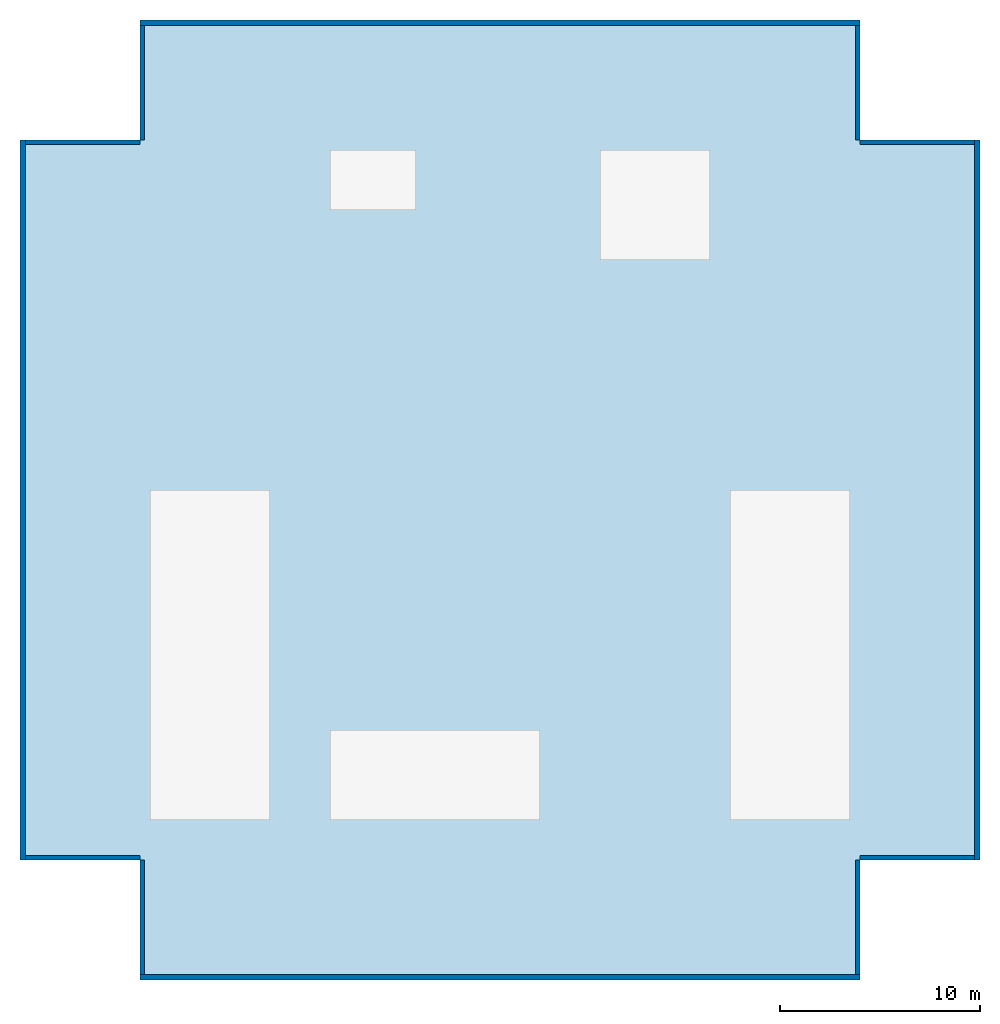
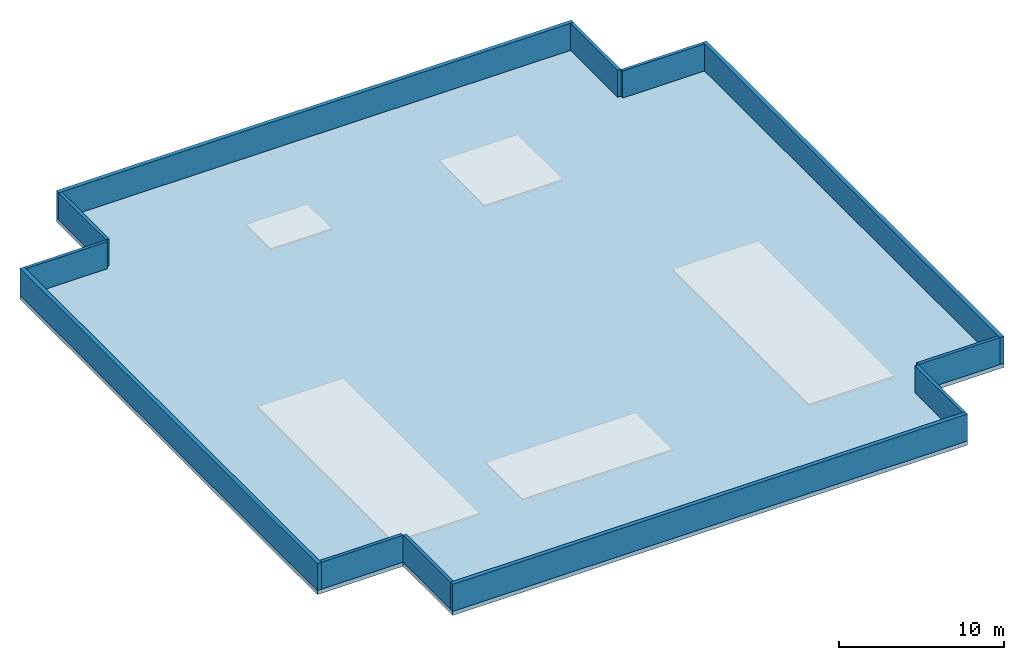
# One storey, part 1 of 2: 12 walls, 1 slab.
"""IFC4 building model written with IfcOpenShell, lengths in metres."""

from ifc_helpers import new_model, si_unit, direction, frame, frame_2d, origin, place, context, subcontext, project, spatial, polyline, rectangle, outline, extrude, source, transform, mapped, material, layer, layer_set, type_object, element, save


model = new_model("IFC4")

# Units and contexts
model_context = context("Model", 3, precision=1e-05, world=origin(), true_north=direction((0.0, 1.0)))
body_context = subcontext(model_context, "Body", "Model", "MODEL_VIEW")
ifc_project = project(units=[si_unit("LENGTHUNIT", "METRE"), si_unit("AREAUNIT", "SQUARE_METRE"), si_unit("VOLUMEUNIT", "CUBIC_METRE"), si_unit("PLANEANGLEUNIT", "RADIAN"), si_unit("MASSUNIT", "GRAM", prefix="KILO")], contexts=[model_context])

# Site, building, storey
site_placement = place(None, origin())
site = spatial("IfcSite", under=ifc_project, at=site_placement, CompositionType="ELEMENT")
building_placement = place(site_placement, origin())
building = spatial("IfcBuilding", under=site, at=building_placement, Name="Khorayat Bourse Tower", CompositionType="ELEMENT")
storey_placement = place(building_placement, frame((0.0, 0.0, 404.300048828125)))
storey = spatial("IfcBuildingStorey", under=building, at=storey_placement, Name="ROOF", CompositionType="ELEMENT", Elevation=404.300048828125)

# Slab
ifc_material_1 = material(Name="Concrete C40/50", Category="concrete")
ifc_layer_1 = layer(ifc_material_1, 0.300048828125)
ifc_layer_set_1 = layer_set([ifc_layer_1], Name="Concrete C40/50")
slab_type = type_object("IfcSlabType", Name="SLB-ROOF-300", PredefinedType="ROOF", material=ifc_layer_set_1)
slab_placement = place(storey_placement, frame((0.0, 0.0, -0.300048828125)))
element("IfcSlab", 1, at=slab_placement, inside=storey, type_object=slab_type, Name="ROOF Main Roof Slab", PredefinedType="ROOF", context=body_context, shape_type="SweptSolid", body=[
    extrude(outline(polyline([(-18.0, -24.0), (18.0, -24.0), (18.0, -18.0), (24.0, -18.0), (24.0, 18.0), (18.0, 18.0), (18.0, 24.0), (-18.0, 24.0), (-18.0, 18.0), (-24.0, 18.0), (-24.0, -18.0), (-18.0, -18.0), (-18.0, -24.0)])), origin(), (0.0, 0.0, 1.0), 0.300048828125),
])

# Walls
ifc_material_2 = material(Name="Precast concrete C45/55", Category="concrete")
ifc_layer_2 = layer(ifc_material_2, 0.280029296875)
ifc_layer_set_2 = layer_set([ifc_layer_2], Name="Precast concrete C45/55")
wall_type_1 = type_object("IfcWallType", Name="WAL-PARAPET-280", PredefinedType="PARAPET", material=ifc_layer_set_2)
shared_shape_1 = source(origin(), body_context, "Body", "SweptSolid", [
    extrude(rectangle(XDim=36.0, YDim=0.280029296875, at=frame_2d((18.0, 0.0))), origin(), (0.0, 0.0, 1.0), 2.0),
])
for number, where, z_axis, x_axis, name in (
    (2, (-18.0, -23.860107421875, 0.0), (0.0, 0.0, 1.0), (1.0, 0.0, 0.0), "ROOF Maintenance Parapet S"),
    (3, (23.860107421875, -18.0, 0.0), (0.0, 0.0, 1.0), (0.0, 1.0, 0.0), "ROOF Maintenance Parapet E"),
    (4, (-18.0, 23.860107421875, 0.0), (0.0, 0.0, 1.0), (1.0, 0.0, 0.0), "ROOF Maintenance Parapet N"),
    (5, (-23.860107421875, -18.0, 0.0), (0.0, 0.0, 1.0), (0.0, 1.0, 0.0), "ROOF Maintenance Parapet W"),
):
    element("IfcWall", number, at=place(storey_placement, frame(where, z_axis=z_axis, x_axis=x_axis)), inside=storey, type_object=wall_type_1, Name=name, PredefinedType="PARAPET", context=body_context, shape_type="MappedRepresentation", body=[
        mapped(shared_shape_1, transform((0.0, 0.0, 0.0), scale=1.0)),
    ])
ifc_layer_3 = layer(ifc_material_2, 0.219970703125)
ifc_layer_set_3 = layer_set([ifc_layer_3], Name="Precast concrete C45/55")
wall_type_2 = type_object("IfcWallType", Name="WAL-PARAPET-220", PredefinedType="PARAPET", material=ifc_layer_set_3)
shared_shape_2 = source(origin(), body_context, "Body", "SweptSolid", [
    extrude(rectangle(XDim=5.719970703125, YDim=0.219970703125, at=frame_2d((2.85986328125, 0.0))), origin(), (0.0, 0.0, 1.0), 2.0),
])
for number, where, z_axis, x_axis, name in (
    (6, (17.889892578125, -23.719970703125, 0.0), (0.0, 0.0, 1.0), (0.0, 1.0, 0.0), "ROOF Maintenance Parapet SE1"),
    (7, (18.0, -17.889892578125, 0.0), (0.0, 0.0, 1.0), (1.0, 0.0, 0.0), "ROOF Maintenance Parapet SE2"),
    (8, (18.0, 17.889892578125, 0.0), (0.0, 0.0, 1.0), (1.0, 0.0, 0.0), "ROOF Maintenance Parapet NE1"),
    (9, (17.889892578125, 18.0, 0.0), (0.0, 0.0, 1.0), (0.0, 1.0, 0.0), "ROOF Maintenance Parapet NE2"),
    (10, (-17.889892578125, 18.0, 0.0), (0.0, 0.0, 1.0), (0.0, 1.0, 0.0), "ROOF Maintenance Parapet NW1"),
    (11, (-23.719970703125, 17.889892578125, 0.0), (0.0, 0.0, 1.0), (1.0, 0.0, 0.0), "ROOF Maintenance Parapet NW2"),
    (12, (-23.719970703125, -17.889892578125, 0.0), (0.0, 0.0, 1.0), (1.0, 0.0, 0.0), "ROOF Maintenance Parapet SW1"),
    (13, (-17.889892578125, -23.719970703125, 0.0), (0.0, 0.0, 1.0), (0.0, 1.0, 0.0), "ROOF Maintenance Parapet SW2"),
):
    element("IfcWall", number, at=place(storey_placement, frame(where, z_axis=z_axis, x_axis=x_axis)), inside=storey, type_object=wall_type_2, Name=name, PredefinedType="PARAPET", context=body_context, shape_type="MappedRepresentation", body=[
        mapped(shared_shape_2, transform((0.0, 0.0, 0.0), scale=1.0)),
    ])

save(model, "model.ifc")
